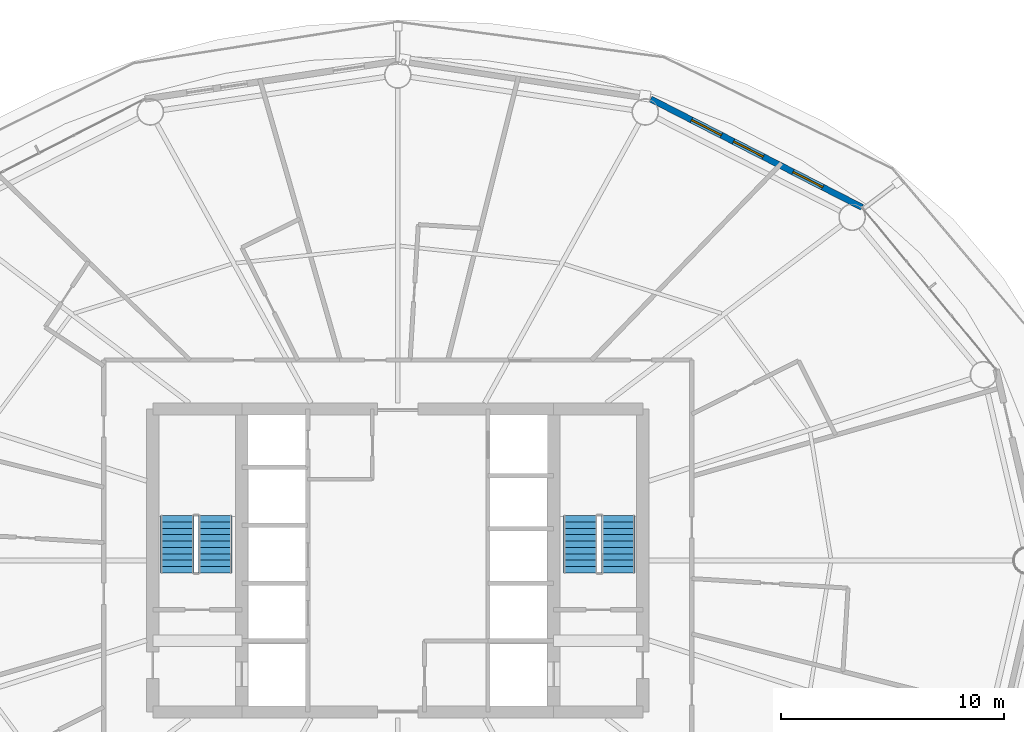
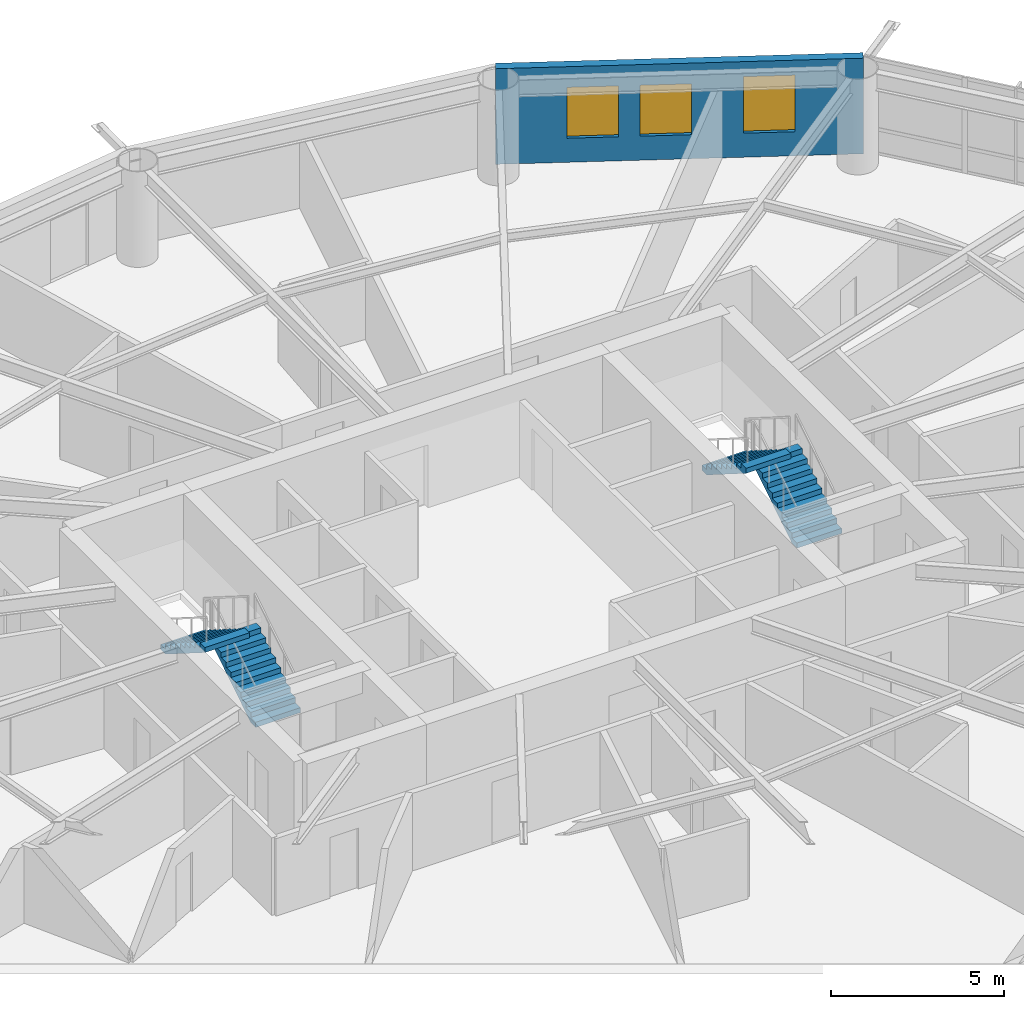
# One storey, part 21 of 24: 4 stair flights, 3 windows, 1 wall, 3 openings, 2 elements without a shape of their own.
"""IFC4 building model written with IfcOpenShell, lengths in metres."""

from ifc_helpers import new_model, si_unit, direction, frame, frame_2d, origin, place, context, subcontext, project, spatial, polyline, rectangle, outline, extrude, material, layer, layer_set, type_object, element, fill, aggregate, save


model = new_model("IFC4")

# Units and contexts
model_context = context("Model", 3, precision=1e-05, world=origin(), true_north=direction((0.0, 1.0)))
body_context = subcontext(model_context, "Body", "Model", "MODEL_VIEW")
ifc_project = project(units=[si_unit("LENGTHUNIT", "METRE"), si_unit("AREAUNIT", "SQUARE_METRE"), si_unit("VOLUMEUNIT", "CUBIC_METRE"), si_unit("PLANEANGLEUNIT", "RADIAN"), si_unit("MASSUNIT", "GRAM", prefix="KILO")], contexts=[model_context])

# Site, building, storey
site_placement = place(None, origin())
site = spatial("IfcSite", under=ifc_project, at=site_placement, CompositionType="ELEMENT")
building_placement = place(site_placement, origin())
building = spatial("IfcBuilding", under=site, at=building_placement, Name="Sarneth Arch Tower", CompositionType="ELEMENT")
storey_placement = place(building_placement, frame((0.0, 0.0, 98.39990234375)))
storey = spatial("IfcBuildingStorey", under=building, at=storey_placement, Name="L24", CompositionType="ELEMENT", Elevation=98.39990234375)

# Wall, openings, windows
ifc_material_1 = material(Name="Extruded terracotta rainscreen on Concrete C40/50 backing", Category="masonry")
ifc_layer = layer(ifc_material_1, 0.280029296875)
ifc_layer_set = layer_set([ifc_layer], Name="Extruded terracotta rainscreen on Concrete C40/50 backing")
wall_type = type_object("IfcWallType", Name="WALL-EXT-TERRA-280", PredefinedType="SOLIDWALL", material=ifc_layer_set)
wall_placement = place(storey_placement, frame((68.840087890625, 57.8603515625, 0.0), z_axis=(0.0, 0.0, 1.0), x_axis=(-0.889959505023, 0.45603955905, 0.0)))
wall = element("IfcWall", 1, at=wall_placement, inside=storey, type_object=wall_type, Name="L24 Terracotta perimeter wall 03", PredefinedType="SOLIDWALL", context=body_context, shape_type="SweptSolid", body=[
    extrude(rectangle(XDim=10.662109375, YDim=0.280029296875, at=frame_2d((5.3310546875, 0.0))), origin(), (0.0, 0.0, 1.0), 3.380126953125),
])
opening_1_placement = place(wall_placement, frame((1.978759765625, 0.0, 0.85009765625)))
opening_1 = element("IfcOpeningElement", 2, at=opening_1_placement, cuts=wall, Name="Opening W-06", PredefinedType="OPENING", context=body_context, shape_type="SweptSolid", body=[
    extrude(rectangle(XDim=1.5, YDim=2.0, at=frame_2d((0.75, 1.0))), frame((0.0, 0.14990234375, 0.0), z_axis=(0.0, -1.0, 0.0), x_axis=(1.0, 0.0, 0.0)), (0.0, 0.0, 1.0), 0.300048828125),
])
opening_2_placement = place(wall_placement, frame((4.981689453125, 0.0, 0.85009765625)))
opening_2 = element("IfcOpeningElement", 3, at=opening_2_placement, cuts=wall, Name="Opening W-07", PredefinedType="OPENING", context=body_context, shape_type="SweptSolid", body=[
    extrude(rectangle(XDim=1.5, YDim=1.800048828125, at=frame_2d((0.75, 0.89990234375))), frame((0.0, 0.14990234375, 0.0), z_axis=(0.0, -1.0, 0.0), x_axis=(1.0, 0.0, 0.0)), (0.0, 0.0, 1.0), 0.300048828125),
])
opening_3_placement = place(wall_placement, frame((7.096435546875, 0.0, 0.85009765625)))
opening_3 = element("IfcOpeningElement", 4, at=opening_3_placement, cuts=wall, Name="Opening W-07", PredefinedType="OPENING", context=body_context, shape_type="SweptSolid", body=[
    extrude(rectangle(XDim=1.5, YDim=1.800048828125, at=frame_2d((0.75, 0.89990234375))), frame((0.0, 0.14990234375, 0.0), z_axis=(0.0, -1.0, 0.0), x_axis=(1.0, 0.0, 0.0)), (0.0, 0.0, 1.0), 0.300048828125),
])
ifc_material_2 = material(Name="Thermally broken Aluminium 6063-T6 and low-e laminated IGU", Category="aluminium")
window_type_1 = type_object("IfcWindowType", Name="WIN-TWR-1500x1800", PartitioningType="SINGLE_PANEL", PredefinedType="WINDOW", material=ifc_material_2)
window_1_placement = place(opening_2_placement, origin())
window_1 = element("IfcWindow", 5, at=window_1_placement, inside=storey, type_object=window_type_1, Name="L24 Exterior window 03B", OverallHeight=1.800048828125, OverallWidth=1.5, PartitioningType="SINGLE_PANEL", PredefinedType="WINDOW", context=body_context, shape_type="SweptSolid", body=[
    extrude(rectangle(XDim=1.5, YDim=1.800048828125, at=frame_2d((0.75, 0.89990234375))), frame((0.0, 0.030029296875, 0.0), z_axis=(0.0, -1.0, 0.0), x_axis=(1.0, 0.0, 0.0)), (0.0, 0.0, 1.0), 0.06005859375),
])
fill(opening_2, window_1)
window_2_placement = place(opening_3_placement, origin())
window_2 = element("IfcWindow", 6, at=window_2_placement, inside=storey, type_object=window_type_1, Name="L24 Exterior window 03C", OverallHeight=1.800048828125, OverallWidth=1.5, PartitioningType="SINGLE_PANEL", PredefinedType="WINDOW", context=body_context, shape_type="SweptSolid", body=[
    extrude(rectangle(XDim=1.5, YDim=1.800048828125, at=frame_2d((0.75, 0.89990234375))), frame((0.0, 0.030029296875, 0.0), z_axis=(0.0, -1.0, 0.0), x_axis=(1.0, 0.0, 0.0)), (0.0, 0.0, 1.0), 0.06005859375),
])
fill(opening_3, window_2)
ifc_material_3 = material(Name="Thermally broken Aluminium 6063-T6 and low-e laminated IGU", Category="aluminium")
window_type_2 = type_object("IfcWindowType", Name="WIN-TWR-1500x2000", PartitioningType="SINGLE_PANEL", PredefinedType="WINDOW", material=ifc_material_3)
window_3_placement = place(opening_1_placement, origin())
window_3 = element("IfcWindow", 7, at=window_3_placement, inside=storey, type_object=window_type_2, Name="L24 Exterior window 03A", OverallHeight=2.0, OverallWidth=1.5, PartitioningType="SINGLE_PANEL", PredefinedType="WINDOW", context=body_context, shape_type="SweptSolid", body=[
    extrude(rectangle(XDim=1.5, YDim=2.0, at=frame_2d((0.75, 1.0))), frame((0.0, 0.030029296875, 0.0), z_axis=(0.0, -1.0, 0.0), x_axis=(1.0, 0.0, 0.0)), (0.0, 0.0, 1.0), 0.06005859375),
])
fill(opening_1, window_3)

# Stair, stair flights
ifc_material_4 = material(Name="Concrete C50/60", Category="concrete")
stair_type = type_object("IfcStairType", Name="STAIR-CORE-RC", PredefinedType="HALF_TURN_STAIR", material=ifc_material_4)
stair_1_placement = place(storey_placement, origin())
stair_1 = element("IfcStair", 8, at=stair_1_placement, inside=storey, type_object=stair_type, Name="L24 Core Exit Stair 1", PredefinedType="HALF_TURN_STAIR")
ifc_material_5 = material(Name="Concrete C50/60", Category="concrete")
stair_flight_type = type_object("IfcStairFlightType", Name="FLIGHT-RC-1500", PredefinedType="STRAIGHT", material=ifc_material_5)
stair_flight_1_placement = place(storey_placement, frame((39.800048828125, 41.449951171875, 0.0), z_axis=(0.0, 0.0, 1.0), x_axis=(0.0, 1.0, 0.0)))
stair_flight_1 = element("IfcStairFlight", 9, at=stair_flight_1_placement, type_object=stair_flight_type, Name="ST-1 flight 1", NumberOfRisers=10, NumberOfTreads=9, PredefinedType="STRAIGHT", RiserHeight=0.18, TreadLength=0.285, context=body_context, shape_type="SweptSolid", body=[
    extrude(outline(polyline([(0.0, 0.0), (0.0, 0.179931640625), (0.284912109375, 0.179931640625), (0.284912109375, 0.360107421875), (0.570068359375, 0.360107421875), (0.570068359375, 0.5400390625), (0.85498046875, 0.5400390625), (0.85498046875, 0.719970703125), (1.139892578125, 0.719970703125), (1.139892578125, 0.89990234375), (1.425048828125, 0.89990234375), (1.425048828125, 1.080078125), (1.7099609375, 1.080078125), (1.7099609375, 1.260009765625), (1.9951171875, 1.260009765625), (1.9951171875, 1.43994140625), (2.280029296875, 1.43994140625), (2.280029296875, 1.6201171875), (2.56494140625, 1.6201171875), (2.56494140625, 1.800048828125), (2.56494140625, 1.442626953125), (0.28076171875, 0.0), (0.0, 0.0)])), frame((0.0, 0.75, 0.0), z_axis=(0.0, -1.0, 0.0), x_axis=(1.0, 0.0, 0.0)), (0.0, 0.0, 1.0), 1.5),
])
stair_flight_2_placement = place(storey_placement, frame((38.10009765625, 44.014892578125, 1.800048828125), z_axis=(0.0, 0.0, 1.0), x_axis=(0.0, -1.0, 0.0)))
stair_flight_2 = element("IfcStairFlight", 10, at=stair_flight_2_placement, type_object=stair_flight_type, Name="ST-1 flight 2", NumberOfRisers=10, NumberOfTreads=9, PredefinedType="STRAIGHT", RiserHeight=0.18, TreadLength=0.285, context=body_context, shape_type="SweptSolid", body=[
    extrude(outline(polyline([(0.0, 0.0), (0.0, 0.179931640625), (0.284912109375, 0.179931640625), (0.284912109375, 0.360107421875), (0.570068359375, 0.360107421875), (0.570068359375, 0.5400390625), (0.85498046875, 0.5400390625), (0.85498046875, 0.719970703125), (1.139892578125, 0.719970703125), (1.139892578125, 0.89990234375), (1.425048828125, 0.89990234375), (1.425048828125, 1.080078125), (1.7099609375, 1.080078125), (1.7099609375, 1.260009765625), (1.9951171875, 1.260009765625), (1.9951171875, 1.43994140625), (2.280029296875, 1.43994140625), (2.280029296875, 1.6201171875), (2.56494140625, 1.6201171875), (2.56494140625, 1.800048828125), (2.56494140625, 1.442626953125), (0.28076171875, 0.0), (0.0, 0.0)])), frame((0.0, 0.75, 0.0), z_axis=(0.0, -1.0, 0.0), x_axis=(1.0, 0.0, 0.0)), (0.0, 0.0, 1.0), 1.5),
])
aggregate(stair_1, [stair_flight_1, stair_flight_2])

stair_2_placement = place(storey_placement, origin())
stair_2 = element("IfcStair", 11, at=stair_2_placement, inside=storey, type_object=stair_type, Name="L24 Core Exit Stair 2", PredefinedType="HALF_TURN_STAIR")
stair_flight_3_placement = place(storey_placement, frame((57.89990234375, 41.449951171875, 0.0), z_axis=(0.0, 0.0, 1.0), x_axis=(0.0, 1.0, 0.0)))
stair_flight_3 = element("IfcStairFlight", 12, at=stair_flight_3_placement, type_object=stair_flight_type, Name="ST-2 flight 1", NumberOfRisers=10, NumberOfTreads=9, PredefinedType="STRAIGHT", RiserHeight=0.18, TreadLength=0.285, context=body_context, shape_type="SweptSolid", body=[
    extrude(outline(polyline([(0.0, 0.0), (0.0, 0.179931640625), (0.284912109375, 0.179931640625), (0.284912109375, 0.360107421875), (0.570068359375, 0.360107421875), (0.570068359375, 0.5400390625), (0.85498046875, 0.5400390625), (0.85498046875, 0.719970703125), (1.139892578125, 0.719970703125), (1.139892578125, 0.89990234375), (1.425048828125, 0.89990234375), (1.425048828125, 1.080078125), (1.7099609375, 1.080078125), (1.7099609375, 1.260009765625), (1.9951171875, 1.260009765625), (1.9951171875, 1.43994140625), (2.280029296875, 1.43994140625), (2.280029296875, 1.6201171875), (2.56494140625, 1.6201171875), (2.56494140625, 1.800048828125), (2.56494140625, 1.442626953125), (0.28076171875, 0.0), (0.0, 0.0)])), frame((0.0, 0.75, 0.0), z_axis=(0.0, -1.0, 0.0), x_axis=(1.0, 0.0, 0.0)), (0.0, 0.0, 1.0), 1.5),
])
stair_flight_4_placement = place(storey_placement, frame((56.199951171875, 44.014892578125, 1.800048828125), z_axis=(0.0, 0.0, 1.0), x_axis=(0.0, -1.0, 0.0)))
stair_flight_4 = element("IfcStairFlight", 13, at=stair_flight_4_placement, type_object=stair_flight_type, Name="ST-2 flight 2", NumberOfRisers=10, NumberOfTreads=9, PredefinedType="STRAIGHT", RiserHeight=0.18, TreadLength=0.285, context=body_context, shape_type="SweptSolid", body=[
    extrude(outline(polyline([(0.0, 0.0), (0.0, 0.179931640625), (0.284912109375, 0.179931640625), (0.284912109375, 0.360107421875), (0.570068359375, 0.360107421875), (0.570068359375, 0.5400390625), (0.85498046875, 0.5400390625), (0.85498046875, 0.719970703125), (1.139892578125, 0.719970703125), (1.139892578125, 0.89990234375), (1.425048828125, 0.89990234375), (1.425048828125, 1.080078125), (1.7099609375, 1.080078125), (1.7099609375, 1.260009765625), (1.9951171875, 1.260009765625), (1.9951171875, 1.43994140625), (2.280029296875, 1.43994140625), (2.280029296875, 1.6201171875), (2.56494140625, 1.6201171875), (2.56494140625, 1.800048828125), (2.56494140625, 1.442626953125), (0.28076171875, 0.0), (0.0, 0.0)])), frame((0.0, 0.75, 0.0), z_axis=(0.0, -1.0, 0.0), x_axis=(1.0, 0.0, 0.0)), (0.0, 0.0, 1.0), 1.5),
])
aggregate(stair_2, [stair_flight_3, stair_flight_4])

save(model, "model.ifc")
